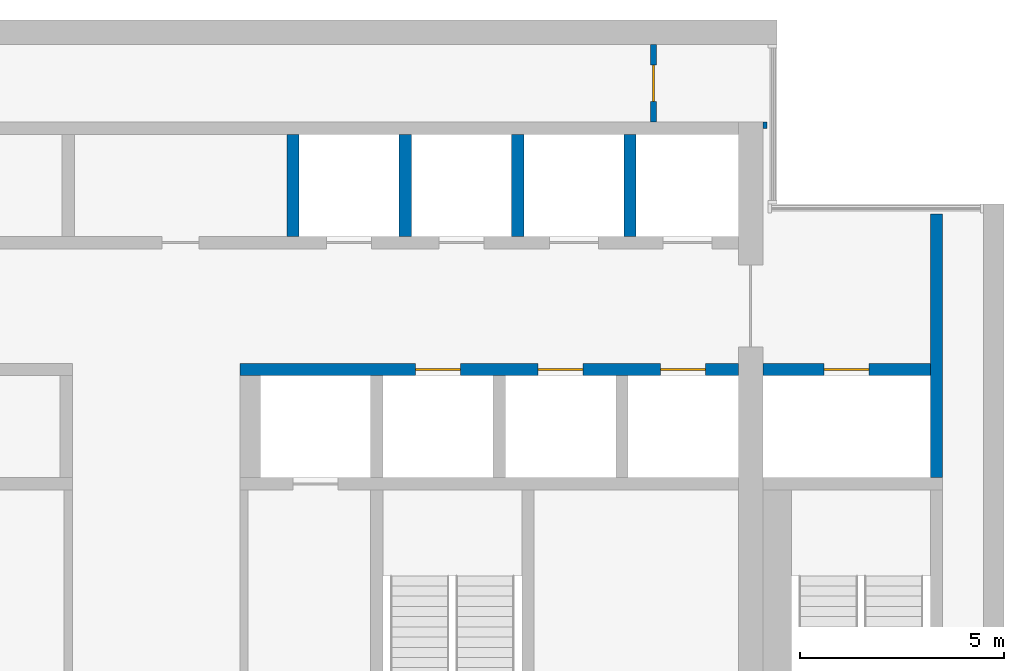
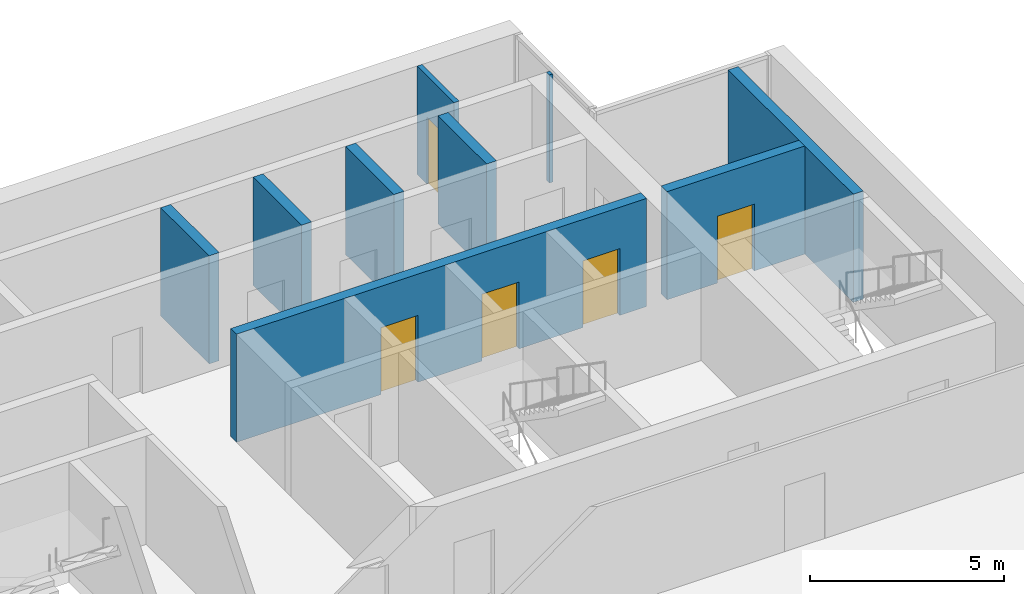
# One storey, part 11 of 14: 9 walls, 5 doors, 5 openings.
"""IFC4 building model written with IfcOpenShell, lengths in metres."""

from ifc_helpers import new_model, si_unit, direction, frame, frame_2d, origin, place, context, subcontext, project, spatial, rectangle, extrude, material, layer, layer_set, type_object, element, fill, save


model = new_model("IFC4")

# Units and contexts
model_context = context("Model", 3, precision=1e-05, world=origin(), true_north=direction((0.0, 1.0)))
body_context = subcontext(model_context, "Body", "Model", "MODEL_VIEW")
ifc_project = project(units=[si_unit("LENGTHUNIT", "METRE"), si_unit("AREAUNIT", "SQUARE_METRE"), si_unit("VOLUMEUNIT", "CUBIC_METRE"), si_unit("PLANEANGLEUNIT", "RADIAN"), si_unit("MASSUNIT", "GRAM", prefix="KILO")], contexts=[model_context])

# Site, building, storey
site_placement = place(None, origin())
site = spatial("IfcSite", under=ifc_project, at=site_placement, CompositionType="ELEMENT")
building_placement = place(site_placement, origin())
building = spatial("IfcBuilding", under=site, at=building_placement, Name="Calvaro Tower", CompositionType="ELEMENT")
storey_placement = place(building_placement, frame((0.0, 0.0, 254.550048828125)))
storey = spatial("IfcBuildingStorey", under=building, at=storey_placement, Name="L64", CompositionType="ELEMENT", Elevation=254.550048828125)

# Wall
ifc_material_1 = material(Name="Blockwork partition", Category="masonry")
ifc_layer_1 = layer(ifc_material_1, 0.10009765625)
ifc_layer_set_1 = layer_set([ifc_layer_1], Name="Blockwork partition")
wall_type_1 = type_object("IfcWallType", Name="Core partition 100 EI 60", PredefinedType="PARTITIONING", material=ifc_layer_set_1)
wall_1_placement = place(storey_placement, frame((60.14990234375, 43.35009765625, 0.0), z_axis=(0.0, 0.0, 1.0), x_axis=(0.0, 1.0, 0.0)))
element("IfcWall", 1, at=wall_1_placement, inside=storey, type_object=wall_type_1, Name="Core partition", PredefinedType="PARTITIONING", context=body_context, shape_type="SweptSolid", body=[
    extrude(rectangle(XDim=0.14990234375, YDim=0.10009765625, at=frame_2d((0.074951171875, 0.0))), origin(), (0.0, 0.0, 1.0), 3.39990234375),
])

# Wall, opening, door
ifc_material_2 = material(Name="Blockwork partition", Category="masonry")
ifc_layer_2 = layer(ifc_material_2, 0.14990234375)
ifc_layer_set_2 = layer_set([ifc_layer_2], Name="Blockwork partition")
wall_type_2 = type_object("IfcWallType", Name="Core partition 150 EI 60", PredefinedType="PARTITIONING", material=ifc_layer_set_2)
wall_2_placement = place(storey_placement, frame((57.425048828125, 45.39990234375, 0.0), z_axis=(0.0, 0.0, 1.0), x_axis=(0.0, -1.0, 0.0)))
wall_2 = element("IfcWall", 2, at=wall_2_placement, inside=storey, type_object=wall_type_2, Name="Core partition", PredefinedType="PARTITIONING", context=body_context, shape_type="SweptSolid", body=[
    extrude(rectangle(XDim=1.89990234375, YDim=0.14990234375, at=frame_2d((0.949951171875, 0.0))), origin(), (0.0, 0.0, 1.0), 3.39990234375),
])
opening_1_placement = place(wall_2_placement, frame((0.5, 0.0, 0.0)))
opening_1 = element("IfcOpeningElement", 3, at=opening_1_placement, cuts=wall_2, Name="Opening RD9C", PredefinedType="OPENING", context=body_context, shape_type="SweptSolid", body=[
    extrude(rectangle(XDim=0.89990234375, YDim=2.10009765625, at=frame_2d((0.449951171875, 1.050048828125))), frame((0.0, 0.0849609375, 0.0), z_axis=(0.0, -1.0, 0.0), x_axis=(1.0, 0.0, 0.0)), (0.0, 0.0, 1.0), 0.169921875),
])
ifc_material_3 = material(Name="Steel door set", Category="steel")
door_type_1 = type_object("IfcDoorType", Name="Room door 900 FD30", OperationType="SINGLE_SWING_LEFT", PredefinedType="DOOR", material=ifc_material_3)
door_1_placement = place(opening_1_placement, origin())
door_1 = element("IfcDoor", 4, at=door_1_placement, inside=storey, type_object=door_type_1, Name="Room door", OperationType="SINGLE_SWING_LEFT", OverallHeight=2.10009765625, OverallWidth=0.89990234375, PredefinedType="DOOR", context=body_context, shape_type="SweptSolid", body=[
    extrude(rectangle(XDim=0.89990234375, YDim=2.10009765625, at=frame_2d((0.449951171875, 1.050048828125))), frame((0.0, 0.02490234375, 0.0), z_axis=(0.0, -1.0, 0.0), x_axis=(1.0, 0.0, 0.0)), (0.0, 0.0, 1.0), 0.050048828125),
])
fill(opening_1, door_1)

# Wall
ifc_material_4 = material(Name="Concrete C40/50", Category="concrete")
ifc_layer_3 = layer(ifc_material_4, 0.300048828125)
ifc_layer_set_3 = layer_set([ifc_layer_3], Name="Concrete C40/50")
wall_type_3 = type_object("IfcWallType", Name="Core wall C40/50 300", PredefinedType="SHEAR", material=ifc_layer_set_3)
wall_3_placement = place(storey_placement, frame((64.35009765625, 34.800048828125, 0.0), z_axis=(0.0, 0.0, 1.0), x_axis=(0.0, 1.0, 0.0)))
element("IfcWall", 5, at=wall_3_placement, inside=storey, type_object=wall_type_3, Name="Core wall, boundary", PredefinedType="SHEAR", context=body_context, shape_type="SweptSolid", body=[
    extrude(rectangle(XDim=6.449951171875, YDim=0.300048828125, at=frame_2d((3.22509765625, 0.0))), origin(), (0.0, 0.0, 1.0), 3.39990234375),
])

# Wall, openings, doors
wall_4_placement = place(storey_placement, frame((47.300048828125, 37.449951171875, 0.0), z_axis=(0.0, 0.0, 1.0), x_axis=(1.0, 0.0, 0.0)))
wall_4 = element("IfcWall", 6, at=wall_4_placement, inside=storey, type_object=wall_type_3, Name="Core wall, lift shaft", PredefinedType="SHEAR", context=body_context, shape_type="SweptSolid", body=[
    extrude(rectangle(XDim=12.199951171875, YDim=0.300048828125, at=frame_2d((6.10009765625, 0.0))), origin(), (0.0, 0.0, 1.0), 3.39990234375),
])
opening_2_placement = place(wall_4_placement, frame((4.300048828125, 0.0, 0.0)))
opening_2 = element("IfcOpeningElement", 7, at=opening_2_placement, cuts=wall_4, Name="Opening HR1", PredefinedType="OPENING", context=body_context, shape_type="SweptSolid", body=[
    extrude(rectangle(XDim=1.10009765625, YDim=2.10009765625, at=frame_2d((0.550048828125, 1.050048828125))), frame((0.0, 0.159912109375, 0.0), z_axis=(0.0, -1.0, 0.0), x_axis=(1.0, 0.0, 0.0)), (0.0, 0.0, 1.0), 0.320068359375),
])
opening_3_placement = place(wall_4_placement, frame((7.300048828125, 0.0, 0.0)))
opening_3 = element("IfcOpeningElement", 8, at=opening_3_placement, cuts=wall_4, Name="Opening HR2", PredefinedType="OPENING", context=body_context, shape_type="SweptSolid", body=[
    extrude(rectangle(XDim=1.10009765625, YDim=2.10009765625, at=frame_2d((0.550048828125, 1.050048828125))), frame((0.0, 0.159912109375, 0.0), z_axis=(0.0, -1.0, 0.0), x_axis=(1.0, 0.0, 0.0)), (0.0, 0.0, 1.0), 0.320068359375),
])
opening_4_placement = place(wall_4_placement, frame((10.300048828125, 0.0, 0.0)))
opening_4 = element("IfcOpeningElement", 9, at=opening_4_placement, cuts=wall_4, Name="Opening HR3", PredefinedType="OPENING", context=body_context, shape_type="SweptSolid", body=[
    extrude(rectangle(XDim=1.10009765625, YDim=2.10009765625, at=frame_2d((0.550048828125, 1.050048828125))), frame((0.0, 0.159912109375, 0.0), z_axis=(0.0, -1.0, 0.0), x_axis=(1.0, 0.0, 0.0)), (0.0, 0.0, 1.0), 0.320068359375),
])
ifc_material_5 = material(Name="Stainless steel", Category="steel")
door_type_2 = type_object("IfcDoorType", Name="Landing door 1100 E 60", OperationType="SLIDING_TO_LEFT", PredefinedType="DOOR", material=ifc_material_5)
door_2_placement = place(opening_2_placement, origin())
door_2 = element("IfcDoor", 10, at=door_2_placement, inside=storey, type_object=door_type_2, Name="Landing door HR1", OperationType="SLIDING_TO_LEFT", OverallHeight=2.10009765625, OverallWidth=1.10009765625, PredefinedType="DOOR", context=body_context, shape_type="SweptSolid", body=[
    extrude(rectangle(XDim=1.10009765625, YDim=2.10009765625, at=frame_2d((0.550048828125, 1.050048828125))), frame((0.0, 0.02490234375, 0.0), z_axis=(0.0, -1.0, 0.0), x_axis=(1.0, 0.0, 0.0)), (0.0, 0.0, 1.0), 0.050048828125),
])
fill(opening_2, door_2)
door_3_placement = place(opening_3_placement, origin())
door_3 = element("IfcDoor", 11, at=door_3_placement, inside=storey, type_object=door_type_2, Name="Landing door HR2", OperationType="SLIDING_TO_LEFT", OverallHeight=2.10009765625, OverallWidth=1.10009765625, PredefinedType="DOOR", context=body_context, shape_type="SweptSolid", body=[
    extrude(rectangle(XDim=1.10009765625, YDim=2.10009765625, at=frame_2d((0.550048828125, 1.050048828125))), frame((0.0, 0.02490234375, 0.0), z_axis=(0.0, -1.0, 0.0), x_axis=(1.0, 0.0, 0.0)), (0.0, 0.0, 1.0), 0.050048828125),
])
fill(opening_3, door_3)
door_4_placement = place(opening_4_placement, origin())
door_4 = element("IfcDoor", 12, at=door_4_placement, inside=storey, type_object=door_type_2, Name="Landing door HR3", OperationType="SLIDING_TO_LEFT", OverallHeight=2.10009765625, OverallWidth=1.10009765625, PredefinedType="DOOR", context=body_context, shape_type="SweptSolid", body=[
    extrude(rectangle(XDim=1.10009765625, YDim=2.10009765625, at=frame_2d((0.550048828125, 1.050048828125))), frame((0.0, 0.02490234375, 0.0), z_axis=(0.0, -1.0, 0.0), x_axis=(1.0, 0.0, 0.0)), (0.0, 0.0, 1.0), 0.050048828125),
])
fill(opening_4, door_4)

# Wall, opening, door
wall_5_placement = place(storey_placement, frame((60.10009765625, 37.449951171875, 0.0), z_axis=(0.0, 0.0, 1.0), x_axis=(1.0, 0.0, 0.0)))
wall_5 = element("IfcWall", 13, at=wall_5_placement, inside=storey, type_object=wall_type_3, Name="Core wall, lift shaft", PredefinedType="SHEAR", context=body_context, shape_type="SweptSolid", body=[
    extrude(rectangle(XDim=4.099853515625, YDim=0.300048828125, at=frame_2d((2.0498046875, 0.0))), origin(), (0.0, 0.0, 1.0), 3.39990234375),
])
opening_5_placement = place(wall_5_placement, frame((1.5, 0.0, 0.0)))
opening_5 = element("IfcOpeningElement", 14, at=opening_5_placement, cuts=wall_5, Name="Opening FF3", PredefinedType="OPENING", context=body_context, shape_type="SweptSolid", body=[
    extrude(rectangle(XDim=1.10009765625, YDim=2.10009765625, at=frame_2d((0.550048828125, 1.050048828125))), frame((0.0, 0.159912109375, 0.0), z_axis=(0.0, -1.0, 0.0), x_axis=(1.0, 0.0, 0.0)), (0.0, 0.0, 1.0), 0.320068359375),
])
door_5_placement = place(opening_5_placement, origin())
door_5 = element("IfcDoor", 15, at=door_5_placement, inside=storey, type_object=door_type_2, Name="Landing door FF3", OperationType="SLIDING_TO_LEFT", OverallHeight=2.10009765625, OverallWidth=1.10009765625, PredefinedType="DOOR", context=body_context, shape_type="SweptSolid", body=[
    extrude(rectangle(XDim=1.10009765625, YDim=2.10009765625, at=frame_2d((0.550048828125, 1.050048828125))), frame((0.0, 0.02490234375, 0.0), z_axis=(0.0, -1.0, 0.0), x_axis=(1.0, 0.0, 0.0)), (0.0, 0.0, 1.0), 0.050048828125),
])
fill(opening_5, door_5)

# Walls
for number, where, z_axis, x_axis, name in (
    (16, (48.60009765625, 40.699951171875, 0.0), (0.0, 0.0, 1.0), (0.0, 1.0, 0.0), "Core wall, lift shaft"),
    (17, (51.35009765625, 40.699951171875, 0.0), (0.0, 0.0, 1.0), (0.0, 1.0, 0.0), "Core wall, lift shaft"),
    (18, (54.10009765625, 40.699951171875, 0.0), (0.0, 0.0, 1.0), (0.0, 1.0, 0.0), "Core wall, lift shaft"),
    (19, (56.85009765625, 40.699951171875, 0.0), (0.0, 0.0, 1.0), (0.0, 1.0, 0.0), "Core wall, lift shaft"),
):
    element("IfcWall", number, at=place(storey_placement, frame(where, z_axis=z_axis, x_axis=x_axis)), inside=storey, type_object=wall_type_3, Name=name, PredefinedType="SHEAR", context=body_context, shape_type="SweptSolid", body=[
        extrude(rectangle(XDim=2.5, YDim=0.300048828125, at=frame_2d((1.25, 0.0))), origin(), (0.0, 0.0, 1.0), 3.39990234375),
    ])

save(model, "model.ifc")
